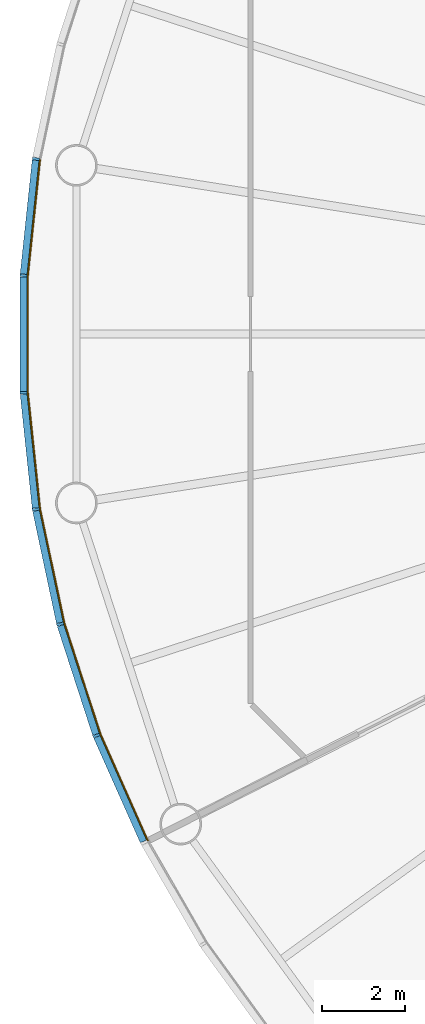
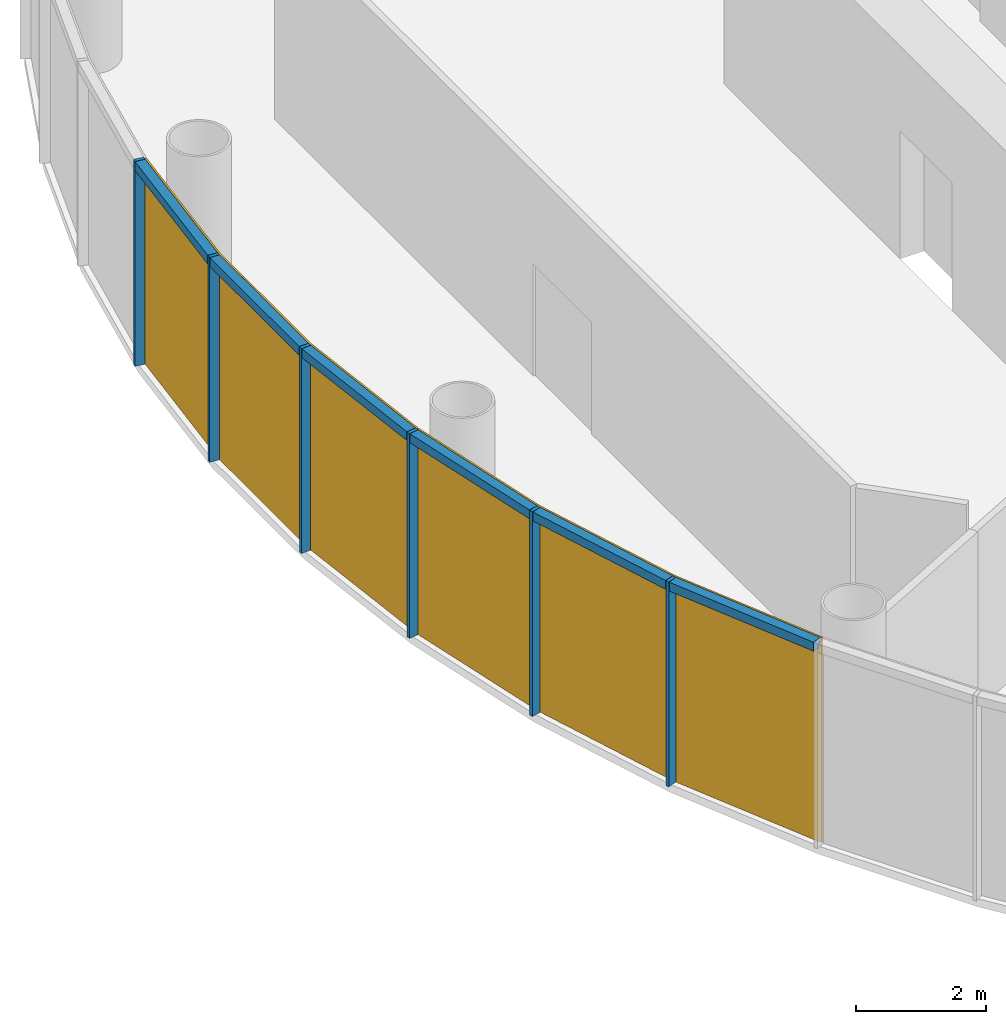
# One storey, part 7 of 12: 12 members, 2 curtain walls.
"""IFC4 building model written with IfcOpenShell, lengths in metres."""

from ifc_helpers import new_model, si_unit, direction, frame, origin, origin_2d, place, context, subcontext, project, spatial, polyline, rectangle, outline, extrude, material, layer, layer_set, material_profile, profile_set, type_object, element, aggregate, save


model = new_model("IFC4")

# Units and contexts
model_context = context("Model", 3, precision=1e-05, world=origin(), true_north=direction((0.0, 1.0)))
body_context = subcontext(model_context, "Body", "Model", "MODEL_VIEW")
ifc_project = project(units=[si_unit("LENGTHUNIT", "METRE"), si_unit("AREAUNIT", "SQUARE_METRE"), si_unit("VOLUMEUNIT", "CUBIC_METRE"), si_unit("PLANEANGLEUNIT", "RADIAN"), si_unit("MASSUNIT", "GRAM", prefix="KILO")], contexts=[model_context])

# Member
ifc_material_1 = material(Name="Anodised aluminium", Category="aluminium")
ifc_material_profile_1 = material_profile(ifc_material_1, rectangle(XDim=0.06005859375, YDim=0.169921875, at=origin_2d()), Name="Mullion 60 x 170 mm anodised aluminium")
ifc_profile_set_1 = profile_set([ifc_material_profile_1], Name="Anodised aluminium")
member_type_1 = type_object("IfcMemberType", Name="Mullion 60 x 170 mm anodised aluminium", PredefinedType="MULLION", material=ifc_profile_set_1)
site_placement = place(None, origin())
building_placement = place(site_placement, origin())
storey_placement = place(building_placement, frame((0.0, 0.0, 210.0)))
member_1_placement = place(storey_placement, frame((63.446044921875, 84.205810546875, 0.0), z_axis=(0.0, 0.0, 1.0), x_axis=(-0.15643446504, -0.987688340595, 0.0)))
member_1 = element("IfcMember", 1, at=member_1_placement, type_object=member_type_1, Name="MULLION L48-27", PredefinedType="MULLION", context=body_context, shape_type="SweptSolid", body=[
    extrude(rectangle(XDim=0.06005859375, YDim=0.169921875, at=origin_2d()), origin(), (0.0, 0.0, 1.0), 3.85009765625),
])

member_2_placement = place(storey_placement, frame((63.15185546875, 81.406982421875, 0.0), z_axis=(0.0, 0.0, 1.0), x_axis=(-0.052335956243, -0.998629534755, 0.0)))
member_2 = element("IfcMember", 2, at=member_2_placement, type_object=member_type_1, Name="MULLION L48-28", PredefinedType="MULLION", context=body_context, shape_type="SweptSolid", body=[
    extrude(rectangle(XDim=0.06005859375, YDim=0.169921875, at=origin_2d()), origin(), (0.0, 0.0, 1.0), 3.85009765625),
])

member_3_placement = place(storey_placement, frame((63.15185546875, 78.593017578125, 0.0), z_axis=(0.0, 0.0, 1.0), x_axis=(0.052335956243, -0.998629534755, 0.0)))
member_3 = element("IfcMember", 3, at=member_3_placement, type_object=member_type_1, Name="MULLION L48-29", PredefinedType="MULLION", context=body_context, shape_type="SweptSolid", body=[
    extrude(rectangle(XDim=0.06005859375, YDim=0.169921875, at=origin_2d()), origin(), (0.0, 0.0, 1.0), 3.85009765625),
])

member_4_placement = place(storey_placement, frame((63.446044921875, 75.794189453125, 0.0), z_axis=(0.0, 0.0, 1.0), x_axis=(0.15643446504, -0.987688340595, 0.0)))
member_4 = element("IfcMember", 4, at=member_4_placement, type_object=member_type_1, Name="MULLION L48-30", PredefinedType="MULLION", context=body_context, shape_type="SweptSolid", body=[
    extrude(rectangle(XDim=0.06005859375, YDim=0.169921875, at=origin_2d()), origin(), (0.0, 0.0, 1.0), 3.85009765625),
])

member_5_placement = place(storey_placement, frame((64.031005859375, 73.041748046875, 0.0), z_axis=(0.0, 0.0, 1.0), x_axis=(0.258819045103, -0.965925826289, 0.0)))
member_5 = element("IfcMember", 5, at=member_5_placement, type_object=member_type_1, Name="MULLION L48-31", PredefinedType="MULLION", context=body_context, shape_type="SweptSolid", body=[
    extrude(rectangle(XDim=0.06005859375, YDim=0.169921875, at=origin_2d()), origin(), (0.0, 0.0, 1.0), 3.85009765625),
])

member_6_placement = place(storey_placement, frame((64.900634765625, 70.365234375, 0.0), z_axis=(0.0, 0.0, 1.0), x_axis=(0.358367949545, -0.933580426497, 0.0)))
member_6 = element("IfcMember", 6, at=member_6_placement, type_object=member_type_1, Name="MULLION L48-32", PredefinedType="MULLION", context=body_context, shape_type="SweptSolid", body=[
    extrude(rectangle(XDim=0.06005859375, YDim=0.169921875, at=origin_2d()), origin(), (0.0, 0.0, 1.0), 3.85009765625),
])

ifc_material_2 = material(Name="Anodised aluminium", Category="aluminium")
ifc_material_profile_2 = material_profile(ifc_material_2, rectangle(XDim=0.169921875, YDim=0.1650390625, at=origin_2d()), Name="Transom 165 x 170 mm anodised aluminium")
ifc_profile_set_2 = profile_set([ifc_material_profile_2], Name="Anodised aluminium")
member_type_2 = type_object("IfcMemberType", Name="Transom 165 x 170 mm anodised aluminium", PredefinedType="USERDEFINED", material=ifc_profile_set_2)
member_7_placement = place(storey_placement, frame((63.4423828125, 84.17138671875, 3.767578125), z_axis=(-0.104592190102, -0.994515195344, 0.0), x_axis=(0.994515195344, -0.104592190102, 0.0)))
member_7 = element("IfcMember", 7, at=member_7_placement, type_object=member_type_2, Name="TRANSOM L48-27", ObjectType="TRANSOM", PredefinedType="USERDEFINED", context=body_context, shape_type="SweptSolid", body=[
    extrude(rectangle(XDim=0.169921875, YDim=0.1650390625, at=origin_2d()), origin(), (0.0, 0.0, 1.0), 2.7451171875),
])

member_8_placement = place(storey_placement, frame((63.151611328125, 81.37255859375, 3.767578125), z_axis=(0.0, -1.0, 0.0), x_axis=(1.0, 0.0, 0.0)))
member_8 = element("IfcMember", 8, at=member_8_placement, type_object=member_type_2, Name="TRANSOM L48-28", ObjectType="TRANSOM", PredefinedType="USERDEFINED", context=body_context, shape_type="SweptSolid", body=[
    extrude(rectangle(XDim=0.169921875, YDim=0.1650390625, at=origin_2d()), origin(), (0.0, 0.0, 1.0), 2.7451171875),
])

member_9_placement = place(storey_placement, frame((63.1552734375, 78.55859375, 3.767578125), z_axis=(0.104592190102, -0.994515195344, 0.0), x_axis=(0.994515195344, 0.104592190102, 0.0)))
member_9 = element("IfcMember", 9, at=member_9_placement, type_object=member_type_2, Name="TRANSOM L48-29", ObjectType="TRANSOM", PredefinedType="USERDEFINED", context=body_context, shape_type="SweptSolid", body=[
    extrude(rectangle(XDim=0.169921875, YDim=0.1650390625, at=origin_2d()), origin(), (0.0, 0.0, 1.0), 2.7451171875),
])

member_10_placement = place(storey_placement, frame((63.453125, 75.760498046875, 3.767578125), z_axis=(0.207937468562, -0.97814212115, 0.0), x_axis=(0.97814212115, 0.207937468562, 0.0)))
member_10 = element("IfcMember", 10, at=member_10_placement, type_object=member_type_2, Name="TRANSOM L48-30", ObjectType="TRANSOM", PredefinedType="USERDEFINED", context=body_context, shape_type="SweptSolid", body=[
    extrude(rectangle(XDim=0.169921875, YDim=0.1650390625, at=origin_2d()), origin(), (0.0, 0.0, 1.0), 2.7451171875),
])

member_11_placement = place(storey_placement, frame((64.04150390625, 73.0087890625, 3.767578125), z_axis=(0.309041831781, -0.951048445774, 0.0), x_axis=(0.951048445774, 0.309041831781, 0.0)))
member_11 = element("IfcMember", 11, at=member_11_placement, type_object=member_type_2, Name="TRANSOM L48-31", ObjectType="TRANSOM", PredefinedType="USERDEFINED", context=body_context, shape_type="SweptSolid", body=[
    extrude(rectangle(XDim=0.169921875, YDim=0.1650390625, at=origin_2d()), origin(), (0.0, 0.0, 1.0), 2.7451171875),
])

member_12_placement = place(storey_placement, frame((64.91455078125, 70.333740234375, 3.767578125), z_axis=(0.406781987391, -0.913525267704, 0.0), x_axis=(0.913525267704, 0.406781987391, 0.0)))
member_12 = element("IfcMember", 12, at=member_12_placement, type_object=member_type_2, Name="TRANSOM L48-32", ObjectType="TRANSOM", PredefinedType="USERDEFINED", context=body_context, shape_type="SweptSolid", body=[
    extrude(rectangle(XDim=0.169921875, YDim=0.1650390625, at=origin_2d()), origin(), (0.0, 0.0, 1.0), 2.7451171875),
])

# Site, building, storey
site = spatial("IfcSite", under=ifc_project, at=site_placement, CompositionType="ELEMENT")
building = spatial("IfcBuilding", under=site, at=building_placement, Name="Entoto Ring Tower", CompositionType="ELEMENT")
storey = spatial("IfcBuildingStorey", under=building, at=storey_placement, Name="L48", CompositionType="ELEMENT", Elevation=210.0)

# Curtain wall
ifc_material_3 = material(Name="Clear low-iron glass", Category="glass")
ifc_layer = layer(ifc_material_3, 0.031982421875)
ifc_layer_set = layer_set([ifc_layer], Name="Clear low-iron glass")
curtain_wall_type = type_object("IfcCurtainWallType", Name="Curtain wall system CW4 glazing 32 mm", PredefinedType="NOTDEFINED", material=ifc_layer_set)
curtain_wall_1_placement = place(storey_placement, origin())
curtain_wall_1 = element("IfcCurtainWall", 13, at=curtain_wall_1_placement, inside=storey, type_object=curtain_wall_type, Name="CW4 L48-10", PredefinedType="NOTDEFINED", context=body_context, shape_type="SweptSolid", body=[
    extrude(outline(polyline([(63.530029296875, 84.1923828125), (63.23681640625, 81.402587890625), (63.23681640625, 78.597412109375), (63.530029296875, 75.8076171875), (63.5615234375, 75.8125), (63.268798828125, 78.59912109375), (63.268798828125, 81.40087890625), (63.5615234375, 84.1875), (63.530029296875, 84.1923828125)])), origin(), (0.0, 0.0, 1.0), 3.85009765625),
])

aggregate(curtain_wall_1, [member_1, member_2, member_3, member_7, member_8, member_9])

curtain_wall_2_placement = place(storey_placement, origin())
curtain_wall_2 = element("IfcCurtainWall", 14, at=curtain_wall_2_placement, inside=storey, type_object=curtain_wall_type, Name="CW4 L48-11", PredefinedType="NOTDEFINED", context=body_context, shape_type="SweptSolid", body=[
    extrude(outline(polyline([(63.530029296875, 75.8076171875), (64.11328125, 73.063720703125), (64.97998046875, 70.395751953125), (66.12109375, 67.8330078125), (66.149658203125, 67.84765625), (65.010009765625, 70.4072265625), (64.14404296875, 73.072021484375), (63.5615234375, 75.8125), (63.530029296875, 75.8076171875)])), origin(), (0.0, 0.0, 1.0), 3.85009765625),
])

aggregate(curtain_wall_2, [member_4, member_5, member_6, member_10, member_11, member_12])

save(model, "model.ifc")
